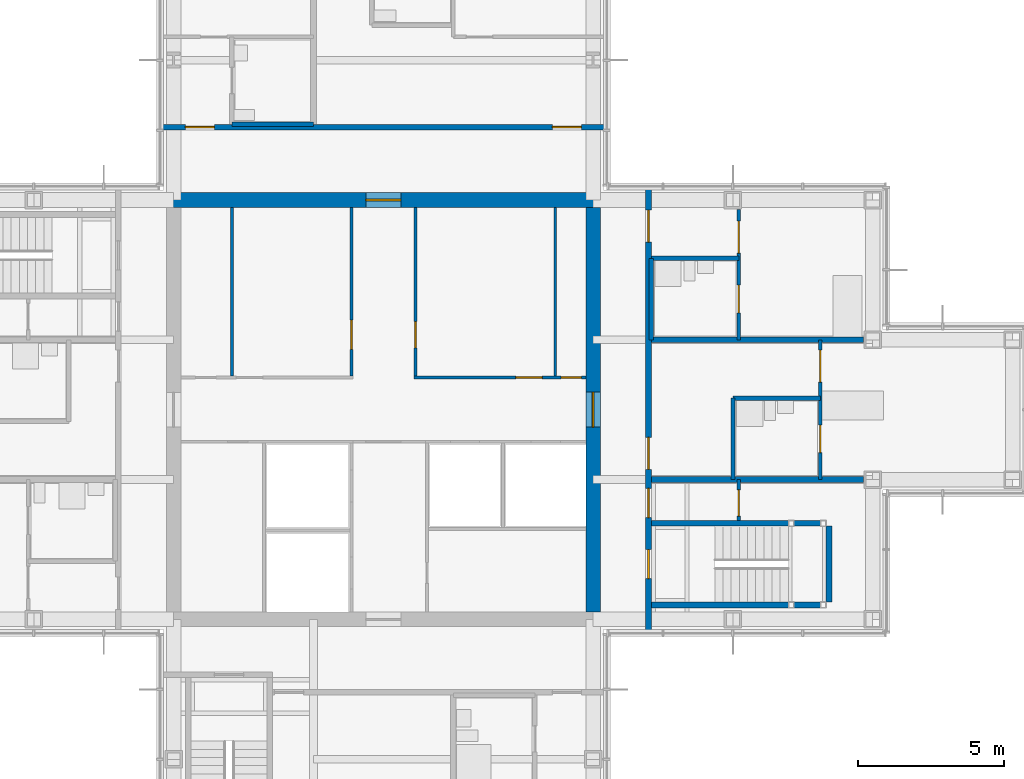
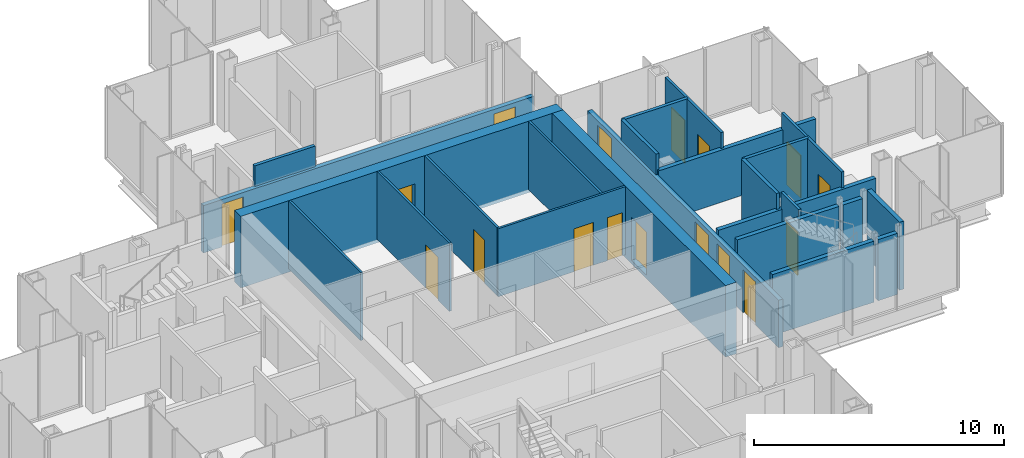
# One storey, part 13 of 17: 24 walls, 17 doors, 17 openings.
"""IFC4 building model written with IfcOpenShell, lengths in metres."""

from ifc_helpers import new_model, si_unit, direction, frame, frame_2d, origin, place, context, subcontext, project, spatial, rectangle, extrude, material, layer, layer_set, type_object, element, fill, save


model = new_model("IFC4")

# Units and contexts
model_context = context("Model", 3, precision=1e-05, world=origin(), true_north=direction((0.0, 1.0)))
body_context = subcontext(model_context, "Body", "Model", "MODEL_VIEW")
ifc_project = project(units=[si_unit("LENGTHUNIT", "METRE"), si_unit("AREAUNIT", "SQUARE_METRE"), si_unit("VOLUMEUNIT", "CUBIC_METRE"), si_unit("PLANEANGLEUNIT", "RADIAN"), si_unit("MASSUNIT", "GRAM", prefix="KILO")], contexts=[model_context])

# Site, building, storey
site_placement = place(None, origin())
site = spatial("IfcSite", under=ifc_project, at=site_placement, CompositionType="ELEMENT")
building_placement = place(site_placement, origin())
building = spatial("IfcBuilding", under=site, at=building_placement, Name="Kvirike Care Tower", CompositionType="ELEMENT")
storey_placement = place(building_placement, frame((0.0, 0.0, 169.0)))
storey = spatial("IfcBuildingStorey", under=building, at=storey_placement, Name="L46", CompositionType="ELEMENT", Elevation=169.0)

# Walls
ifc_material_1 = material(Name="Moisture-resistant board partition", Category="gypsum")
ifc_layer_1 = layer(ifc_material_1, 0.14990234375)
ifc_layer_set_1 = layer_set([ifc_layer_1], Name="BATHROOM WALL 150")
wall_type_1 = type_object("IfcWallType", Name="BATHROOM WALL 150", PredefinedType="PARTITIONING", material=ifc_layer_set_1)
wall_1_placement = place(storey_placement, frame((19.199951171875, 45.800048828125, 0.0), z_axis=(0.0, 0.0, 1.0), x_axis=(-1.0, 0.0, 0.0)))
element("IfcWall", 1, at=wall_1_placement, inside=storey, type_object=wall_type_1, Name="Bathroom Wall 150 L46", PredefinedType="PARTITIONING", context=body_context, shape_type="SweptSolid", body=[
    extrude(rectangle(XDim=2.800048828125, YDim=0.14990234375, at=frame_2d((1.39990234375, 0.0))), origin(), (0.0, 0.0, 1.0), 3.330078125),
])
wall_2_placement = place(storey_placement, frame((36.60009765625, 36.39990234375, 0.0), z_axis=(0.0, 0.0, 1.0), x_axis=(-1.0, 0.0, 0.0)))
element("IfcWall", 2, at=wall_2_placement, inside=storey, type_object=wall_type_1, Name="Bathroom Wall 150 L46", PredefinedType="PARTITIONING", context=body_context, shape_type="SweptSolid", body=[
    extrude(rectangle(XDim=3.0, YDim=0.14990234375, at=frame_2d((1.5, 0.0))), origin(), (0.0, 0.0, 1.0), 3.330078125),
])
wall_3_placement = place(storey_placement, frame((33.60009765625, 33.60009765625, 0.0), z_axis=(0.0, 0.0, 1.0), x_axis=(0.0, 1.0, 0.0)))
element("IfcWall", 3, at=wall_3_placement, inside=storey, type_object=wall_type_1, Name="Bathroom Wall 150 L46", PredefinedType="PARTITIONING", context=body_context, shape_type="SweptSolid", body=[
    extrude(rectangle(XDim=2.7998046875, YDim=0.14990234375, at=frame_2d((1.39990234375, 0.0))), origin(), (0.0, 0.0, 1.0), 3.330078125),
])
wall_4_placement = place(storey_placement, frame((33.800048828125, 41.199951171875, 0.0), z_axis=(0.0, 0.0, 1.0), x_axis=(-1.0, 0.0, 0.0)))
element("IfcWall", 4, at=wall_4_placement, inside=storey, type_object=wall_type_1, Name="Bathroom Wall 150 L46", PredefinedType="PARTITIONING", context=body_context, shape_type="SweptSolid", body=[
    extrude(rectangle(XDim=3.0, YDim=0.14990234375, at=frame_2d((1.5, 0.0))), origin(), (0.0, 0.0, 1.0), 3.330078125),
])
wall_5_placement = place(storey_placement, frame((30.800048828125, 38.39990234375, 0.0), z_axis=(0.0, 0.0, 1.0), x_axis=(0.0, 1.0, 0.0)))
element("IfcWall", 5, at=wall_5_placement, inside=storey, type_object=wall_type_1, Name="Bathroom Wall 150 L46", PredefinedType="PARTITIONING", context=body_context, shape_type="SweptSolid", body=[
    extrude(rectangle(XDim=2.800048828125, YDim=0.14990234375, at=frame_2d((1.39990234375, 0.0))), origin(), (0.0, 0.0, 1.0), 3.330078125),
])

# Wall, opening, door
ifc_material_2 = material(Name="Concrete C45/55", Category="concrete")
ifc_layer_2 = layer(ifc_material_2, 0.5)
ifc_layer_set_2 = layer_set([ifc_layer_2], Name="CORE WALL 500 C45-55")
wall_type_2 = type_object("IfcWallType", Name="CORE WALL 500 C45-55", PredefinedType="SHEAR", material=ifc_layer_set_2)
wall_6_placement = place(storey_placement, frame((29.050048828125, 43.199951171875, -0.169921875), z_axis=(0.0, 0.0, 1.0), x_axis=(-1.0, 0.0, 0.0)))
wall_6 = element("IfcWall", 6, at=wall_6_placement, inside=storey, type_object=wall_type_2, Name="Core wall N L46", PredefinedType="SHEAR", context=body_context, shape_type="SweptSolid", body=[
    extrude(rectangle(XDim=14.900146484375, YDim=0.5, at=frame_2d((7.4501953125, 0.0))), origin(), (0.0, 0.0, 1.0), 3.5),
])
opening_1_placement = place(wall_6_placement, frame((6.85009765625, 0.0, 0.169921875)))
opening_1 = element("IfcOpeningElement", 7, at=opening_1_placement, cuts=wall_6, Name="Opening 46-048", PredefinedType="OPENING", context=body_context, shape_type="SweptSolid", body=[
    extrude(rectangle(XDim=1.199951171875, YDim=2.10009765625, at=frame_2d((0.60009765625, 1.050048828125))), frame((0.0, 0.260498046875, 0.0), z_axis=(0.0, -1.0, 0.0), x_axis=(1.0, 0.0, 0.0)), (0.0, 0.0, 1.0), 0.52099609375),
])
ifc_material_3 = material(Name="Timber door set", Category="wood")
door_type_1 = type_object("IfcDoorType", Name="CORE DOOR 1200", OperationType="SINGLE_SWING_LEFT", PredefinedType="DOOR", material=ifc_material_3)
door_1_placement = place(opening_1_placement, origin())
door_1 = element("IfcDoor", 8, at=door_1_placement, inside=storey, type_object=door_type_1, Name="Core door N L46", OperationType="SINGLE_SWING_LEFT", OverallHeight=2.10009765625, OverallWidth=1.199951171875, PredefinedType="DOOR", context=body_context, shape_type="SweptSolid", body=[
    extrude(rectangle(XDim=1.199951171875, YDim=2.10009765625, at=frame_2d((0.60009765625, 1.050048828125))), frame((0.0, 0.02685546875, 0.0), z_axis=(0.0, -1.0, 0.0), x_axis=(1.0, 0.0, 0.0)), (0.0, 0.0, 1.0), 0.053955078125),
])
fill(opening_1, door_1)

wall_7_placement = place(storey_placement, frame((28.800048828125, 29.050048828125, -0.169921875), z_axis=(0.0, 0.0, 1.0), x_axis=(0.0, 1.0, 0.0)))
wall_7 = element("IfcWall", 9, at=wall_7_placement, inside=storey, type_object=wall_type_2, Name="Core wall E L46", PredefinedType="SHEAR", context=body_context, shape_type="SweptSolid", body=[
    extrude(rectangle(XDim=13.89990234375, YDim=0.5, at=frame_2d((6.949951171875, 0.0))), origin(), (0.0, 0.0, 1.0), 3.5),
])
opening_2_placement = place(wall_7_placement, frame((6.35009765625, 0.0, 0.169921875)))
opening_2 = element("IfcOpeningElement", 10, at=opening_2_placement, cuts=wall_7, Name="Opening 46-047", PredefinedType="OPENING", context=body_context, shape_type="SweptSolid", body=[
    extrude(rectangle(XDim=1.199951171875, YDim=2.10009765625, at=frame_2d((0.60009765625, 1.050048828125))), frame((0.0, 0.260498046875, 0.0), z_axis=(0.0, -1.0, 0.0), x_axis=(1.0, 0.0, 0.0)), (0.0, 0.0, 1.0), 0.52099609375),
])
door_2_placement = place(opening_2_placement, origin())
door_2 = element("IfcDoor", 11, at=door_2_placement, inside=storey, type_object=door_type_1, Name="Core door E L46", OperationType="SINGLE_SWING_LEFT", OverallHeight=2.10009765625, OverallWidth=1.199951171875, PredefinedType="DOOR", context=body_context, shape_type="SweptSolid", body=[
    extrude(rectangle(XDim=1.199951171875, YDim=2.10009765625, at=frame_2d((0.60009765625, 1.050048828125))), frame((0.0, 0.02685546875, 0.0), z_axis=(0.0, -1.0, 0.0), x_axis=(1.0, 0.0, 0.0)), (0.0, 0.0, 1.0), 0.053955078125),
])
fill(opening_2, door_2)

# Wall, openings, doors
ifc_material_4 = material(Name="Plasterboard corridor wall", Category="gypsum")
ifc_layer_3 = layer(ifc_material_4, 0.199951171875)
ifc_layer_set_3 = layer_set([ifc_layer_3], Name="CORRIDOR WALL 200")
wall_type_3 = type_object("IfcWallType", Name="CORRIDOR WALL 200", PredefinedType="PARTITIONING", material=ifc_layer_set_3)
wall_8_placement = place(storey_placement, frame((29.25, 45.699951171875, 0.0), z_axis=(0.0, 0.0, 1.0), x_axis=(-1.0, 0.0, 0.0)))
wall_8 = element("IfcWall", 12, at=wall_8_placement, inside=storey, type_object=wall_type_3, Name="Corridor Wall 200 L46", PredefinedType="PARTITIONING", context=body_context, shape_type="SweptSolid", body=[
    extrude(rectangle(XDim=15.300048828125, YDim=0.199951171875, at=frame_2d((7.64990234375, 0.0))), origin(), (0.0, 0.0, 1.0), 2.320068359375),
])
opening_3_placement = place(wall_8_placement, frame((0.85009765625, 0.0, 0.0)))
opening_3 = element("IfcOpeningElement", 13, at=opening_3_placement, cuts=wall_8, Name="Opening 46-021", PredefinedType="OPENING", context=body_context, shape_type="SweptSolid", body=[
    extrude(rectangle(XDim=1.0, YDim=2.10009765625, at=frame_2d((0.5, 1.050048828125))), frame((0.0, 0.110595703125, 0.0), z_axis=(0.0, -1.0, 0.0), x_axis=(1.0, 0.0, 0.0)), (0.0, 0.0, 1.0), 0.220947265625),
])
opening_4_placement = place(wall_8_placement, frame((13.449951171875, 0.0, 0.0)))
opening_4 = element("IfcOpeningElement", 14, at=opening_4_placement, cuts=wall_8, Name="Opening 46-022", PredefinedType="OPENING", context=body_context, shape_type="SweptSolid", body=[
    extrude(rectangle(XDim=1.0, YDim=2.10009765625, at=frame_2d((0.5, 1.050048828125))), frame((0.0, 0.110595703125, 0.0), z_axis=(0.0, -1.0, 0.0), x_axis=(1.0, 0.0, 0.0)), (0.0, 0.0, 1.0), 0.220947265625),
])
ifc_material_5 = material(Name="Timber door set", Category="wood")
door_type_2 = type_object("IfcDoorType", Name="FLAT ENTRANCE DOOR 1000", OperationType="SINGLE_SWING_LEFT", PredefinedType="DOOR", material=ifc_material_5)
door_3_placement = place(opening_3_placement, frame((1.0, 0.0, 0.0), z_axis=(0.0, 0.0, 1.0), x_axis=(-1.0, 0.0, 0.0)))
door_3 = element("IfcDoor", 15, at=door_3_placement, inside=storey, type_object=door_type_2, Name="Activity room entrance", OperationType="SINGLE_SWING_LEFT", OverallHeight=2.10009765625, OverallWidth=1.0, PredefinedType="DOOR", context=body_context, shape_type="SweptSolid", body=[
    extrude(rectangle(XDim=1.0, YDim=2.10009765625, at=frame_2d((0.5, 1.050048828125))), frame((0.0, 0.02685546875, 0.0), z_axis=(0.0, -1.0, 0.0), x_axis=(1.0, 0.0, 0.0)), (0.0, 0.0, 1.0), 0.053955078125),
])
fill(opening_3, door_3)
door_4_placement = place(opening_4_placement, frame((1.0, 0.0, 0.0), z_axis=(0.0, 0.0, 1.0), x_axis=(-1.0, 0.0, 0.0)))
door_4 = element("IfcDoor", 16, at=door_4_placement, inside=storey, type_object=door_type_2, Name="Sensory therapy room entrance", OperationType="SINGLE_SWING_RIGHT", OverallHeight=2.10009765625, OverallWidth=1.0, PredefinedType="DOOR", context=body_context, shape_type="SweptSolid", body=[
    extrude(rectangle(XDim=1.0, YDim=2.10009765625, at=frame_2d((0.5, 1.050048828125))), frame((0.0, 0.02685546875, 0.0), z_axis=(0.0, -1.0, 0.0), x_axis=(1.0, 0.0, 0.0)), (0.0, 0.0, 1.0), 0.053955078125),
])
fill(opening_4, door_4)

wall_9_placement = place(storey_placement, frame((30.699951171875, 28.35009765625, 0.0), z_axis=(0.0, 0.0, 1.0), x_axis=(0.0, 1.0, 0.0)))
wall_9 = element("IfcWall", 17, at=wall_9_placement, inside=storey, type_object=wall_type_3, Name="Corridor Wall 200 L46", PredefinedType="PARTITIONING", context=body_context, shape_type="SweptSolid", body=[
    extrude(rectangle(XDim=15.2998046875, YDim=0.199951171875, at=frame_2d((7.64990234375, 0.0))), origin(), (0.0, 0.0, 1.0), 2.320068359375),
])
opening_5_placement = place(wall_9_placement, frame((1.85009765625, 0.0, 0.0)))
opening_5 = element("IfcOpeningElement", 18, at=opening_5_placement, cuts=wall_9, Name="Opening 46-028", PredefinedType="OPENING", context=body_context, shape_type="SweptSolid", body=[
    extrude(rectangle(XDim=1.0, YDim=2.10009765625, at=frame_2d((0.5, 1.050048828125))), frame((0.0, 0.110595703125, 0.0), z_axis=(0.0, -1.0, 0.0), x_axis=(1.0, 0.0, 0.0)), (0.0, 0.0, 1.0), 0.220947265625),
])
opening_6_placement = place(wall_9_placement, frame((3.949951171875, 0.0, 0.0)))
opening_6 = element("IfcOpeningElement", 19, at=opening_6_placement, cuts=wall_9, Name="Opening 46-029", PredefinedType="OPENING", context=body_context, shape_type="SweptSolid", body=[
    extrude(rectangle(XDim=1.0, YDim=2.10009765625, at=frame_2d((0.5, 1.050048828125))), frame((0.0, 0.110595703125, 0.0), z_axis=(0.0, -1.0, 0.0), x_axis=(1.0, 0.0, 0.0)), (0.0, 0.0, 1.0), 0.220947265625),
])
opening_7_placement = place(wall_9_placement, frame((5.60009765625, 0.0, 0.0)))
opening_7 = element("IfcOpeningElement", 20, at=opening_7_placement, cuts=wall_9, Name="Opening 46-030", PredefinedType="OPENING", context=body_context, shape_type="SweptSolid", body=[
    extrude(rectangle(XDim=1.10009765625, YDim=2.10009765625, at=frame_2d((0.550048828125, 1.050048828125))), frame((0.0, 0.110595703125, 0.0), z_axis=(0.0, -1.0, 0.0), x_axis=(1.0, 0.0, 0.0)), (0.0, 0.0, 1.0), 0.220947265625),
])
opening_8_placement = place(wall_9_placement, frame((13.39990234375, 0.0, 0.0)))
opening_8 = element("IfcOpeningElement", 21, at=opening_8_placement, cuts=wall_9, Name="Opening 46-031", PredefinedType="OPENING", context=body_context, shape_type="SweptSolid", body=[
    extrude(rectangle(XDim=1.10009765625, YDim=2.10009765625, at=frame_2d((0.550048828125, 1.050048828125))), frame((0.0, 0.110595703125, 0.0), z_axis=(0.0, -1.0, 0.0), x_axis=(1.0, 0.0, 0.0)), (0.0, 0.0, 1.0), 0.220947265625),
])
ifc_material_6 = material(Name="Timber door set", Category="wood")
door_type_3 = type_object("IfcDoorType", Name="BEDROOM ENTRANCE DOOR 1100", OperationType="SINGLE_SWING_LEFT", PredefinedType="DOOR", material=ifc_material_6)
door_5_placement = place(opening_7_placement, frame((1.10009765625, 0.0, 0.0), z_axis=(0.0, 0.0, 1.0), x_axis=(-1.0, 0.0, 0.0)))
door_5 = element("IfcDoor", 22, at=door_5_placement, inside=storey, type_object=door_type_3, Name="Memory care bedroom entrance", OperationType="SINGLE_SWING_LEFT", OverallHeight=2.10009765625, OverallWidth=1.10009765625, PredefinedType="DOOR", context=body_context, shape_type="SweptSolid", body=[
    extrude(rectangle(XDim=1.10009765625, YDim=2.10009765625, at=frame_2d((0.550048828125, 1.050048828125))), frame((0.0, 0.02685546875, 0.0), z_axis=(0.0, -1.0, 0.0), x_axis=(1.0, 0.0, 0.0)), (0.0, 0.0, 1.0), 0.053955078125),
])
fill(opening_7, door_5)
door_6_placement = place(opening_8_placement, frame((1.10009765625, 0.0, 0.0), z_axis=(0.0, 0.0, 1.0), x_axis=(-1.0, 0.0, 0.0)))
door_6 = element("IfcDoor", 23, at=door_6_placement, inside=storey, type_object=door_type_3, Name="Memory care bedroom entrance", OperationType="SINGLE_SWING_RIGHT", OverallHeight=2.10009765625, OverallWidth=1.10009765625, PredefinedType="DOOR", context=body_context, shape_type="SweptSolid", body=[
    extrude(rectangle(XDim=1.10009765625, YDim=2.10009765625, at=frame_2d((0.550048828125, 1.050048828125))), frame((0.0, 0.02685546875, 0.0), z_axis=(0.0, -1.0, 0.0), x_axis=(1.0, 0.0, 0.0)), (0.0, 0.0, 1.0), 0.053955078125),
])
fill(opening_8, door_6)
door_7_placement = place(opening_6_placement, frame((1.0, 0.0, 0.0), z_axis=(0.0, 0.0, 1.0), x_axis=(-1.0, 0.0, 0.0)))
door_7 = element("IfcDoor", 24, at=door_7_placement, inside=storey, type_object=door_type_2, Name="Activity room entrance", OperationType="SINGLE_SWING_LEFT", OverallHeight=2.10009765625, OverallWidth=1.0, PredefinedType="DOOR", context=body_context, shape_type="SweptSolid", body=[
    extrude(rectangle(XDim=1.0, YDim=2.10009765625, at=frame_2d((0.5, 1.050048828125))), frame((0.0, 0.02685546875, 0.0), z_axis=(0.0, -1.0, 0.0), x_axis=(1.0, 0.0, 0.0)), (0.0, 0.0, 1.0), 0.053955078125),
])
fill(opening_6, door_7)
ifc_material_7 = material(Name="Timber door set", Category="wood")
door_type_4 = type_object("IfcDoorType", Name="STAIR DOOR 1000", OperationType="SINGLE_SWING_LEFT", PredefinedType="DOOR", material=ifc_material_7)
door_8_placement = place(opening_5_placement, frame((1.0, 0.0, 0.0), z_axis=(0.0, 0.0, 1.0), x_axis=(-1.0, 0.0, 0.0)))
door_8 = element("IfcDoor", 25, at=door_8_placement, inside=storey, type_object=door_type_4, Name="Stair 2 door", OperationType="SINGLE_SWING_LEFT", OverallHeight=2.10009765625, OverallWidth=1.0, PredefinedType="DOOR", context=body_context, shape_type="SweptSolid", body=[
    extrude(rectangle(XDim=1.0, YDim=2.10009765625, at=frame_2d((0.5, 1.050048828125))), frame((0.0, 0.031982421875, 0.0), z_axis=(0.0, -1.0, 0.0), x_axis=(1.0, 0.0, 0.0)), (0.0, 0.0, 1.0), 0.06396484375),
])
fill(opening_5, door_8)

# Wall, opening, door
ifc_material_8 = material(Name="Plasterboard partition", Category="gypsum")
ifc_layer_4 = layer(ifc_material_8, 0.1201171875)
ifc_layer_set_4 = layer_set([ifc_layer_4], Name="PARTITION 120")
wall_type_4 = type_object("IfcWallType", Name="PARTITION 120", PredefinedType="PARTITIONING", material=ifc_layer_set_4)
wall_10_placement = place(storey_placement, frame((33.800048828125, 32.199951171875, 0.0), z_axis=(0.0, 0.0, 1.0), x_axis=(0.0, 1.0, 0.0)))
wall_10 = element("IfcWall", 26, at=wall_10_placement, inside=storey, type_object=wall_type_4, Name="Partition 120 L46", PredefinedType="PARTITIONING", context=body_context, shape_type="SweptSolid", body=[
    extrude(rectangle(XDim=1.400146484375, YDim=0.1201171875, at=frame_2d((0.7001953125, 0.0))), origin(), (0.0, 0.0, 1.0), 3.330078125),
])
opening_9_placement = place(wall_10_placement, frame((0.14990234375, 0.0, 0.0)))
opening_9 = element("IfcOpeningElement", 27, at=opening_9_placement, cuts=wall_10, Name="Opening 46-023", PredefinedType="OPENING", context=body_context, shape_type="SweptSolid", body=[
    extrude(rectangle(XDim=0.89990234375, YDim=2.10009765625, at=frame_2d((0.449951171875, 1.050048828125))), frame((0.0, 0.070556640625, 0.0), z_axis=(0.0, -1.0, 0.0), x_axis=(1.0, 0.0, 0.0)), (0.0, 0.0, 1.0), 0.14111328125),
])
ifc_material_9 = material(Name="Timber door set", Category="wood")
door_type_5 = type_object("IfcDoorType", Name="INTERNAL DOOR 900", OperationType="SINGLE_SWING_LEFT", PredefinedType="DOOR", material=ifc_material_9)
door_9_placement = place(opening_9_placement, origin())
door_9 = element("IfcDoor", 28, at=door_9_placement, inside=storey, type_object=door_type_5, Name="Activity room door", OperationType="SINGLE_SWING_RIGHT", OverallHeight=2.10009765625, OverallWidth=0.89990234375, PredefinedType="DOOR", context=body_context, shape_type="SweptSolid", body=[
    extrude(rectangle(XDim=0.89990234375, YDim=2.10009765625, at=frame_2d((0.449951171875, 1.050048828125))), frame((0.0, 0.02197265625, 0.0), z_axis=(0.0, -1.0, 0.0), x_axis=(1.0, 0.0, 0.0)), (0.0, 0.0, 1.0), 0.0439453125),
])
fill(opening_9, door_9)

# Wall, openings, doors
wall_11_placement = place(storey_placement, frame((36.60009765625, 33.60009765625, 0.0), z_axis=(0.0, 0.0, 1.0), x_axis=(0.0, 1.0, 0.0)))
wall_11 = element("IfcWall", 29, at=wall_11_placement, inside=storey, type_object=wall_type_4, Name="Partition 120 L46", PredefinedType="PARTITIONING", context=body_context, shape_type="SweptSolid", body=[
    extrude(rectangle(XDim=4.7998046875, YDim=0.1201171875, at=frame_2d((2.39990234375, 0.0))), origin(), (0.0, 0.0, 1.0), 3.330078125),
])
opening_10_placement = place(wall_11_placement, frame((3.35009765625, 0.0, 0.0)))
opening_10 = element("IfcOpeningElement", 30, at=opening_10_placement, cuts=wall_11, Name="Opening 46-024", PredefinedType="OPENING", context=body_context, shape_type="SweptSolid", body=[
    extrude(rectangle(XDim=1.10009765625, YDim=2.10009765625, at=frame_2d((0.550048828125, 1.050048828125))), frame((0.0, 0.070556640625, 0.0), z_axis=(0.0, -1.0, 0.0), x_axis=(1.0, 0.0, 0.0)), (0.0, 0.0, 1.0), 0.14111328125),
])
opening_11_placement = place(wall_11_placement, frame((0.925048828125, 0.0, 0.0)))
opening_11 = element("IfcOpeningElement", 31, at=opening_11_placement, cuts=wall_11, Name="Opening 46-025", PredefinedType="OPENING", context=body_context, shape_type="SweptSolid", body=[
    extrude(rectangle(XDim=0.949951171875, YDim=2.10009765625, at=frame_2d((0.47509765625, 1.050048828125))), frame((0.0, 0.070556640625, 0.0), z_axis=(0.0, -1.0, 0.0), x_axis=(1.0, 0.0, 0.0)), (0.0, 0.0, 1.0), 0.14111328125),
])
ifc_material_10 = material(Name="Timber door set", Category="wood")
door_type_6 = type_object("IfcDoorType", Name="BEDROOM DOOR 1100", OperationType="SINGLE_SWING_LEFT", PredefinedType="DOOR", material=ifc_material_10)
door_10_placement = place(opening_10_placement, origin())
door_10 = element("IfcDoor", 32, at=door_10_placement, inside=storey, type_object=door_type_6, Name="Memory care bedroom door", OperationType="SINGLE_SWING_LEFT", OverallHeight=2.10009765625, OverallWidth=1.10009765625, PredefinedType="DOOR", context=body_context, shape_type="SweptSolid", body=[
    extrude(rectangle(XDim=1.10009765625, YDim=2.10009765625, at=frame_2d((0.550048828125, 1.050048828125))), frame((0.0, 0.02197265625, 0.0), z_axis=(0.0, -1.0, 0.0), x_axis=(1.0, 0.0, 0.0)), (0.0, 0.0, 1.0), 0.0439453125),
])
fill(opening_10, door_10)
ifc_material_11 = material(Name="Timber door set", Category="wood")
door_type_7 = type_object("IfcDoorType", Name="EN-SUITE SLIDING DOOR 950", OperationType="SLIDING_TO_LEFT", PredefinedType="DOOR", material=ifc_material_11)
door_11_placement = place(opening_11_placement, origin())
door_11 = element("IfcDoor", 33, at=door_11_placement, inside=storey, type_object=door_type_7, Name="En-suite door", OperationType="SLIDING_TO_LEFT", OverallHeight=2.10009765625, OverallWidth=0.949951171875, PredefinedType="DOOR", context=body_context, shape_type="SweptSolid", body=[
    extrude(rectangle(XDim=0.949951171875, YDim=2.10009765625, at=frame_2d((0.47509765625, 1.050048828125))), frame((0.0, 0.02197265625, 0.0), z_axis=(0.0, -1.0, 0.0), x_axis=(1.0, 0.0, 0.0)), (0.0, 0.0, 1.0), 0.0439453125),
])
fill(opening_11, door_11)

wall_12_placement = place(storey_placement, frame((33.800048828125, 38.39990234375, 0.0), z_axis=(0.0, 0.0, 1.0), x_axis=(0.0, 1.0, 0.0)))
wall_12 = element("IfcWall", 34, at=wall_12_placement, inside=storey, type_object=wall_type_4, Name="Partition 120 L46", PredefinedType="PARTITIONING", context=body_context, shape_type="SweptSolid", body=[
    extrude(rectangle(XDim=4.47998046875, YDim=0.1201171875, at=frame_2d((2.239990234375, 0.0))), origin(), (0.0, 0.0, 1.0), 3.330078125),
])
opening_12_placement = place(wall_12_placement, frame((2.97509765625, 0.0, 0.0)))
opening_12 = element("IfcOpeningElement", 35, at=opening_12_placement, cuts=wall_12, Name="Opening 46-026", PredefinedType="OPENING", context=body_context, shape_type="SweptSolid", body=[
    extrude(rectangle(XDim=1.10009765625, YDim=2.10009765625, at=frame_2d((0.550048828125, 1.050048828125))), frame((0.0, 0.070556640625, 0.0), z_axis=(0.0, -1.0, 0.0), x_axis=(1.0, 0.0, 0.0)), (0.0, 0.0, 1.0), 0.14111328125),
])
opening_13_placement = place(wall_12_placement, frame((0.925048828125, 0.0, 0.0)))
opening_13 = element("IfcOpeningElement", 36, at=opening_13_placement, cuts=wall_12, Name="Opening 46-027", PredefinedType="OPENING", context=body_context, shape_type="SweptSolid", body=[
    extrude(rectangle(XDim=0.949951171875, YDim=2.10009765625, at=frame_2d((0.47509765625, 1.050048828125))), frame((0.0, 0.070556640625, 0.0), z_axis=(0.0, -1.0, 0.0), x_axis=(1.0, 0.0, 0.0)), (0.0, 0.0, 1.0), 0.14111328125),
])
door_12_placement = place(opening_12_placement, origin())
door_12 = element("IfcDoor", 37, at=door_12_placement, inside=storey, type_object=door_type_6, Name="Memory care bedroom door", OperationType="SINGLE_SWING_RIGHT", OverallHeight=2.10009765625, OverallWidth=1.10009765625, PredefinedType="DOOR", context=body_context, shape_type="SweptSolid", body=[
    extrude(rectangle(XDim=1.10009765625, YDim=2.10009765625, at=frame_2d((0.550048828125, 1.050048828125))), frame((0.0, 0.02197265625, 0.0), z_axis=(0.0, -1.0, 0.0), x_axis=(1.0, 0.0, 0.0)), (0.0, 0.0, 1.0), 0.0439453125),
])
fill(opening_12, door_12)
door_13_placement = place(opening_13_placement, origin())
door_13 = element("IfcDoor", 38, at=door_13_placement, inside=storey, type_object=door_type_7, Name="En-suite door", OperationType="SLIDING_TO_LEFT", OverallHeight=2.10009765625, OverallWidth=0.949951171875, PredefinedType="DOOR", context=body_context, shape_type="SweptSolid", body=[
    extrude(rectangle(XDim=0.949951171875, YDim=2.10009765625, at=frame_2d((0.47509765625, 1.050048828125))), frame((0.0, 0.02197265625, 0.0), z_axis=(0.0, -1.0, 0.0), x_axis=(1.0, 0.0, 0.0)), (0.0, 0.0, 1.0), 0.0439453125),
])
fill(opening_13, door_13)

# Walls
ifc_material_12 = material(Name="Plasterboard party wall", Category="gypsum")
ifc_layer_5 = layer(ifc_material_12, 0.199951171875)
ifc_layer_set_5 = layer_set([ifc_layer_5], Name="PARTY WALL 200")
wall_type_5 = type_object("IfcWallType", Name="PARTY WALL 200", PredefinedType="PARTITIONING", material=ifc_layer_set_5)
for number, where, z_axis, x_axis, name in (
    (39, (38.080078125, 33.60009765625, 0.0), (0.0, 0.0, 1.0), (-1.0, 0.0, 0.0), "Party Wall 200 L46"),
    (40, (38.080078125, 38.39990234375, 0.0), (0.0, 0.0, 1.0), (-1.0, 0.0, 0.0), "Party Wall 200 L46"),
):
    element("IfcWall", number, at=place(storey_placement, frame(where, z_axis=z_axis, x_axis=x_axis)), inside=storey, type_object=wall_type_5, Name=name, PredefinedType="PARTITIONING", context=body_context, shape_type="SweptSolid", body=[
        extrude(rectangle(XDim=7.280029296875, YDim=0.199951171875, at=frame_2d((3.64013671875, 0.0))), origin(), (0.0, 0.0, 1.0), 2.550048828125),
    ])
ifc_material_13 = material(Name="Gypsum shaft wall system", Category="gypsum")
ifc_layer_6 = layer(ifc_material_13, 0.10009765625)
ifc_layer_set_6 = layer_set([ifc_layer_6], Name="SHAFT WALL 100")
wall_type_6 = type_object("IfcWallType", Name="SHAFT WALL 100", PredefinedType="SOLIDWALL", material=ifc_layer_set_6)
for number, where, z_axis, x_axis, name in (
    (41, (16.39990234375, 37.14990234375, 0.0), (0.0, 0.0, 1.0), (0.0, 1.0, 0.0), "Shaft Wall 100 L46"),
    (42, (27.5, 37.14990234375, 0.0), (0.0, 0.0, 1.0), (0.0, 1.0, 0.0), "Shaft Wall 100 L46"),
):
    element("IfcWall", number, at=place(storey_placement, frame(where, z_axis=z_axis, x_axis=x_axis)), inside=storey, type_object=wall_type_6, Name=name, PredefinedType="SOLIDWALL", context=body_context, shape_type="SweptSolid", body=[
        extrude(rectangle(XDim=5.800048828125, YDim=0.10009765625, at=frame_2d((2.89990234375, 0.0))), origin(), (0.0, 0.0, 1.0), 3.330078125),
    ])

# Wall, opening, door
wall_13_placement = place(storey_placement, frame((20.5, 37.14990234375, 0.0), z_axis=(0.0, 0.0, 1.0), x_axis=(0.0, 1.0, 0.0)))
wall_13 = element("IfcWall", 43, at=wall_13_placement, inside=storey, type_object=wall_type_6, Name="Shaft Wall 100 L46", PredefinedType="SOLIDWALL", context=body_context, shape_type="SweptSolid", body=[
    extrude(rectangle(XDim=5.800048828125, YDim=0.10009765625, at=frame_2d((2.89990234375, 0.0))), origin(), (0.0, 0.0, 1.0), 3.330078125),
])
opening_14_placement = place(wall_13_placement, frame((0.925048828125, 0.0, 0.0)))
opening_14 = element("IfcOpeningElement", 44, at=opening_14_placement, cuts=wall_13, Name="Opening 46-034", PredefinedType="OPENING", context=body_context, shape_type="SweptSolid", body=[
    extrude(rectangle(XDim=1.0, YDim=2.10009765625, at=frame_2d((0.5, 1.050048828125))), frame((0.0, 0.060546875, 0.0), z_axis=(0.0, -1.0, 0.0), x_axis=(1.0, 0.0, 0.0)), (0.0, 0.0, 1.0), 0.12109375),
])
ifc_material_14 = material(Name="Timber door set", Category="wood")
door_type_8 = type_object("IfcDoorType", Name="WC DOOR 1000", OperationType="SINGLE_SWING_LEFT", PredefinedType="DOOR", material=ifc_material_14)
door_14_placement = place(opening_14_placement, origin())
door_14 = element("IfcDoor", 45, at=door_14_placement, inside=storey, type_object=door_type_8, Name="Staff WC door", OperationType="SINGLE_SWING_RIGHT", OverallHeight=2.10009765625, OverallWidth=1.0, PredefinedType="DOOR", context=body_context, shape_type="SweptSolid", body=[
    extrude(rectangle(XDim=1.0, YDim=2.10009765625, at=frame_2d((0.5, 1.050048828125))), frame((0.0, 0.02685546875, 0.0), z_axis=(0.0, -1.0, 0.0), x_axis=(1.0, 0.0, 0.0)), (0.0, 0.0, 1.0), 0.053955078125),
])
fill(opening_14, door_14)

wall_14_placement = place(storey_placement, frame((22.699951171875, 37.14990234375, 0.0), z_axis=(0.0, 0.0, 1.0), x_axis=(0.0, 1.0, 0.0)))
wall_14 = element("IfcWall", 46, at=wall_14_placement, inside=storey, type_object=wall_type_6, Name="Shaft Wall 100 L46", PredefinedType="SOLIDWALL", context=body_context, shape_type="SweptSolid", body=[
    extrude(rectangle(XDim=5.800048828125, YDim=0.10009765625, at=frame_2d((2.89990234375, 0.0))), origin(), (0.0, 0.0, 1.0), 3.330078125),
])
opening_15_placement = place(wall_14_placement, frame((0.97509765625, 0.0, 0.0)))
opening_15 = element("IfcOpeningElement", 47, at=opening_15_placement, cuts=wall_14, Name="Opening 46-035", PredefinedType="OPENING", context=body_context, shape_type="SweptSolid", body=[
    extrude(rectangle(XDim=0.89990234375, YDim=2.10009765625, at=frame_2d((0.449951171875, 1.050048828125))), frame((0.0, 0.060546875, 0.0), z_axis=(0.0, -1.0, 0.0), x_axis=(1.0, 0.0, 0.0)), (0.0, 0.0, 1.0), 0.12109375),
])
ifc_material_15 = material(Name="Timber door set", Category="wood")
door_type_9 = type_object("IfcDoorType", Name="STORE DOOR 900", OperationType="SINGLE_SWING_LEFT", PredefinedType="DOOR", material=ifc_material_15)
door_15_placement = place(opening_15_placement, frame((0.89990234375, 0.0, 0.0), z_axis=(0.0, 0.0, 1.0), x_axis=(-1.0, 0.0, 0.0)))
door_15 = element("IfcDoor", 48, at=door_15_placement, inside=storey, type_object=door_type_9, Name="Housekeeping office door", OperationType="SINGLE_SWING_LEFT", OverallHeight=2.10009765625, OverallWidth=0.89990234375, PredefinedType="DOOR", context=body_context, shape_type="SweptSolid", body=[
    extrude(rectangle(XDim=0.89990234375, YDim=2.10009765625, at=frame_2d((0.449951171875, 1.050048828125))), frame((0.0, 0.02685546875, 0.0), z_axis=(0.0, -1.0, 0.0), x_axis=(1.0, 0.0, 0.0)), (0.0, 0.0, 1.0), 0.053955078125),
])
fill(opening_15, door_15)

# Wall, openings, doors
wall_15_placement = place(storey_placement, frame((22.64990234375, 37.10009765625, 0.0), z_axis=(0.0, 0.0, 1.0), x_axis=(1.0, 0.0, 0.0)))
wall_15 = element("IfcWall", 49, at=wall_15_placement, inside=storey, type_object=wall_type_6, Name="Shaft Wall 100 L46", PredefinedType="SOLIDWALL", context=body_context, shape_type="SweptSolid", body=[
    extrude(rectangle(XDim=5.900146484375, YDim=0.10009765625, at=frame_2d((2.9501953125, 0.0))), origin(), (0.0, 0.0, 1.0), 3.330078125),
])
opening_16_placement = place(wall_15_placement, frame((3.5, 0.0, 0.0)))
opening_16 = element("IfcOpeningElement", 50, at=opening_16_placement, cuts=wall_15, Name="Opening 46-042", PredefinedType="OPENING", context=body_context, shape_type="SweptSolid", body=[
    extrude(rectangle(XDim=0.89990234375, YDim=2.10009765625, at=frame_2d((0.449951171875, 1.050048828125))), frame((0.0, 0.060546875, 0.0), z_axis=(0.0, -1.0, 0.0), x_axis=(1.0, 0.0, 0.0)), (0.0, 0.0, 1.0), 0.12109375),
])
opening_17_placement = place(wall_15_placement, frame((5.050048828125, 0.0, 0.0)))
opening_17 = element("IfcOpeningElement", 51, at=opening_17_placement, cuts=wall_15, Name="Opening 46-043", PredefinedType="OPENING", context=body_context, shape_type="SweptSolid", body=[
    extrude(rectangle(XDim=0.699951171875, YDim=2.10009765625, at=frame_2d((0.35009765625, 1.050048828125))), frame((0.0, 0.060546875, 0.0), z_axis=(0.0, -1.0, 0.0), x_axis=(1.0, 0.0, 0.0)), (0.0, 0.0, 1.0), 0.12109375),
])
ifc_material_16 = material(Name="Timber door set", Category="wood")
door_type_10 = type_object("IfcDoorType", Name="RISER DOOR 700", OperationType="SINGLE_SWING_LEFT", PredefinedType="DOOR", material=ifc_material_16)
door_16_placement = place(opening_17_placement, origin())
door_16 = element("IfcDoor", 52, at=door_16_placement, inside=storey, type_object=door_type_10, Name="Riser door", OperationType="SINGLE_SWING_LEFT", OverallHeight=2.10009765625, OverallWidth=0.699951171875, PredefinedType="DOOR", context=body_context, shape_type="SweptSolid", body=[
    extrude(rectangle(XDim=0.699951171875, YDim=2.10009765625, at=frame_2d((0.35009765625, 1.050048828125))), frame((0.0, 0.02685546875, 0.0), z_axis=(0.0, -1.0, 0.0), x_axis=(1.0, 0.0, 0.0)), (0.0, 0.0, 1.0), 0.053955078125),
])
fill(opening_17, door_16)
door_17_placement = place(opening_16_placement, origin())
door_17 = element("IfcDoor", 53, at=door_17_placement, inside=storey, type_object=door_type_9, Name="Housekeeping office door", OperationType="SINGLE_SWING_LEFT", OverallHeight=2.10009765625, OverallWidth=0.89990234375, PredefinedType="DOOR", context=body_context, shape_type="SweptSolid", body=[
    extrude(rectangle(XDim=0.89990234375, YDim=2.10009765625, at=frame_2d((0.449951171875, 1.050048828125))), frame((0.0, 0.02685546875, 0.0), z_axis=(0.0, -1.0, 0.0), x_axis=(1.0, 0.0, 0.0)), (0.0, 0.0, 1.0), 0.053955078125),
])
fill(opening_16, door_17)

# Walls
ifc_material_17 = material(Name="Concrete C40/50", Category="concrete")
ifc_layer_7 = layer(ifc_material_17, 0.199951171875)
ifc_layer_set_7 = layer_set([ifc_layer_7], Name="STAIR WALL 200")
wall_type_7 = type_object("IfcWallType", Name="STAIR WALL 200", PredefinedType="SOLIDWALL", material=ifc_layer_set_7)
wall_16_placement = place(storey_placement, frame((36.60009765625, 29.300048828125, 0.0), z_axis=(0.0, 0.0, 1.0), x_axis=(-1.0, 0.0, 0.0)))
element("IfcWall", 54, at=wall_16_placement, inside=storey, type_object=wall_type_7, Name="Stair Wall 200 L46", PredefinedType="SOLIDWALL", context=body_context, shape_type="SweptSolid", body=[
    extrude(rectangle(XDim=0.900146484375, YDim=0.199951171875, at=frame_2d((0.4501953125, 0.0))), origin(), (0.0, 0.0, 1.0), 2.989990234375),
])
wall_17_placement = place(storey_placement, frame((35.5, 29.300048828125, 0.0), z_axis=(0.0, 0.0, 1.0), x_axis=(-1.0, 0.0, 0.0)))
element("IfcWall", 55, at=wall_17_placement, inside=storey, type_object=wall_type_7, Name="Stair Wall 200 L46", PredefinedType="SOLIDWALL", context=body_context, shape_type="SweptSolid", body=[
    extrude(rectangle(XDim=4.699951171875, YDim=0.199951171875, at=frame_2d((2.35009765625, 0.0))), origin(), (0.0, 0.0, 1.0), 2.989990234375),
])
wall_18_placement = place(storey_placement, frame((36.60009765625, 32.10009765625, 0.0), z_axis=(0.0, 0.0, 1.0), x_axis=(-1.0, 0.0, 0.0)))
element("IfcWall", 56, at=wall_18_placement, inside=storey, type_object=wall_type_7, Name="Stair Wall 200 L46", PredefinedType="SOLIDWALL", context=body_context, shape_type="SweptSolid", body=[
    extrude(rectangle(XDim=0.900146484375, YDim=0.199951171875, at=frame_2d((0.4501953125, 0.0))), origin(), (0.0, 0.0, 1.0), 2.989990234375),
])
wall_19_placement = place(storey_placement, frame((35.5, 32.10009765625, 0.0), z_axis=(0.0, 0.0, 1.0), x_axis=(-1.0, 0.0, 0.0)))
element("IfcWall", 57, at=wall_19_placement, inside=storey, type_object=wall_type_7, Name="Stair Wall 200 L46", PredefinedType="SOLIDWALL", context=body_context, shape_type="SweptSolid", body=[
    extrude(rectangle(XDim=4.699951171875, YDim=0.199951171875, at=frame_2d((2.35009765625, 0.0))), origin(), (0.0, 0.0, 1.0), 2.989990234375),
])
wall_20_placement = place(storey_placement, frame((36.89990234375, 29.39990234375, 0.0), z_axis=(0.0, 0.0, 1.0), x_axis=(0.0, 1.0, 0.0)))
element("IfcWall", 58, at=wall_20_placement, inside=storey, type_object=wall_type_7, Name="Stair Wall 200 L46", PredefinedType="SOLIDWALL", context=body_context, shape_type="SweptSolid", body=[
    extrude(rectangle(XDim=2.60009765625, YDim=0.199951171875, at=frame_2d((1.300048828125, 0.0))), origin(), (0.0, 0.0, 1.0), 3.330078125),
])

save(model, "model.ifc")
